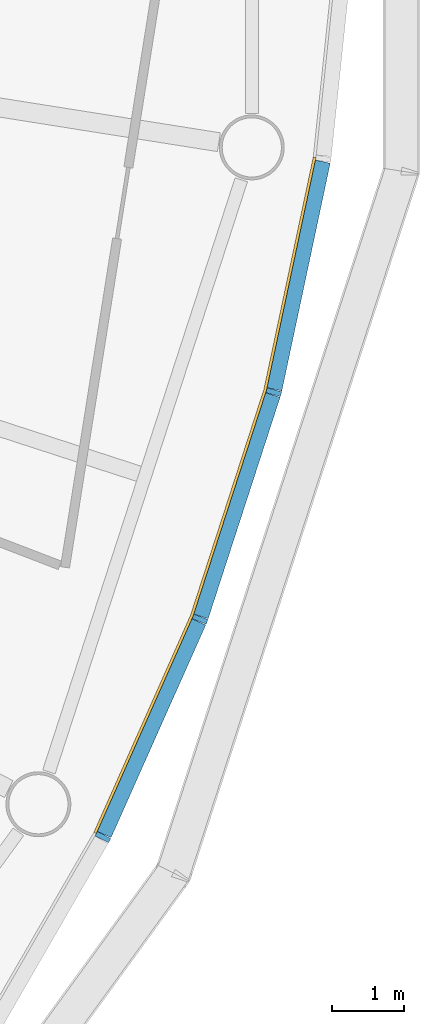
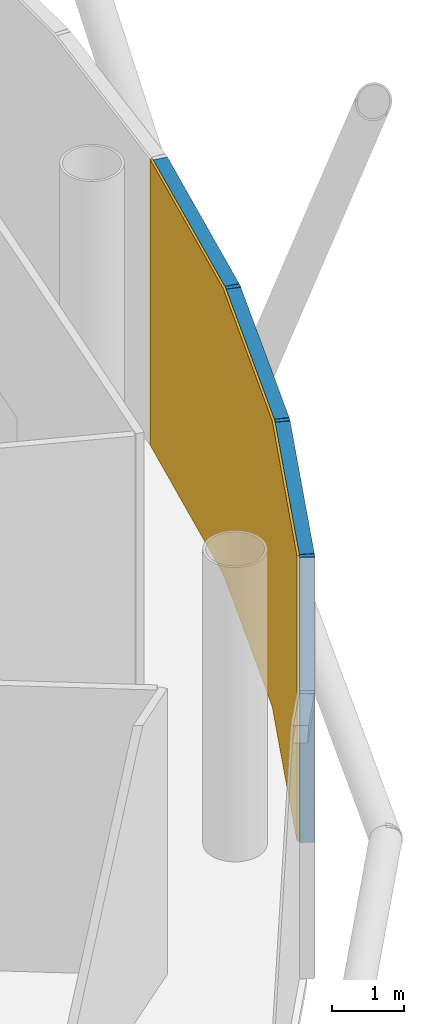
# One storey, part 9 of 13: 6 members, 1 curtain wall.
"""IFC4 building model written with IfcOpenShell, lengths in metres."""

from ifc_helpers import new_model, si_unit, direction, frame, origin, origin_2d, place, context, subcontext, project, spatial, polyline, rectangle, outline, extrude, material, layer, layer_set, material_profile, profile_set, type_object, element, aggregate, save


model = new_model("IFC4")

# Units and contexts
model_context = context("Model", 3, precision=1e-05, world=origin(), true_north=direction((0.0, 1.0)))
body_context = subcontext(model_context, "Body", "Model", "MODEL_VIEW")
ifc_project = project(units=[si_unit("LENGTHUNIT", "METRE"), si_unit("AREAUNIT", "SQUARE_METRE"), si_unit("VOLUMEUNIT", "CUBIC_METRE"), si_unit("PLANEANGLEUNIT", "RADIAN"), si_unit("MASSUNIT", "GRAM", prefix="KILO")], contexts=[model_context])

# Member
ifc_material_1 = material(Name="Anodised aluminium", Category="aluminium")
ifc_material_profile_1 = material_profile(ifc_material_1, rectangle(XDim=0.070068359375, YDim=0.2099609375, at=origin_2d()), Name="Mullion 70 x 210 mm anodised aluminium")
ifc_profile_set_1 = profile_set([ifc_material_profile_1], Name="Anodised aluminium")
member_type_1 = type_object("IfcMemberType", Name="Mullion 70 x 210 mm anodised aluminium", PredefinedType="MULLION", material=ifc_profile_set_1)
site_placement = place(None, origin())
building_placement = place(site_placement, origin())
storey_placement = place(building_placement, frame((0.0, 0.0, 402.0)))
member_1_placement = place(storey_placement, frame((118.16015625, 65.651611328125, 0.0), z_axis=(0.0, 0.0, 1.0), x_axis=(0.45399049974, 0.891006524188, 0.0)))
member_1 = element("IfcMember", 1, at=member_1_placement, type_object=member_type_1, Name="MULLION L92-54", PredefinedType="MULLION", context=body_context, shape_type="SweptSolid", body=[
    extrude(rectangle(XDim=0.070068359375, YDim=0.2099609375, at=origin_2d()), origin(), (0.0, 0.0, 1.0), 4.85009765625),
])

member_2_placement = place(storey_placement, frame((119.505859375, 68.673828125, 0.0), z_axis=(0.0, 0.0, 1.0), x_axis=(0.358367949545, 0.933580426497, 0.0)))
member_2 = element("IfcMember", 2, at=member_2_placement, type_object=member_type_1, Name="MULLION L92-55", PredefinedType="MULLION", context=body_context, shape_type="SweptSolid", body=[
    extrude(rectangle(XDim=0.070068359375, YDim=0.2099609375, at=origin_2d()), origin(), (0.0, 0.0, 1.0), 4.85009765625),
])

member_3_placement = place(storey_placement, frame((120.528076171875, 71.820068359375, 0.0), z_axis=(0.0, 0.0, 1.0), x_axis=(0.258819045103, 0.965925826289, 0.0)))
member_3 = element("IfcMember", 3, at=member_3_placement, type_object=member_type_1, Name="MULLION L92-56", PredefinedType="MULLION", context=body_context, shape_type="SweptSolid", body=[
    extrude(rectangle(XDim=0.070068359375, YDim=0.2099609375, at=origin_2d()), origin(), (0.0, 0.0, 1.0), 4.85009765625),
])

ifc_material_2 = material(Name="Anodised aluminium", Category="aluminium")
ifc_material_profile_2 = material_profile(ifc_material_2, rectangle(XDim=0.2099609375, YDim=0.199951171875, at=origin_2d()), Name="Transom 200 x 210 mm anodised aluminium")
ifc_profile_set_2 = profile_set([ifc_material_profile_2], Name="Anodised aluminium")
member_type_2 = type_object("IfcMemberType", Name="Transom 200 x 210 mm anodised aluminium", PredefinedType="USERDEFINED", material=ifc_profile_set_2)
member_4_placement = place(storey_placement, frame((118.1767578125, 65.6884765625, 4.75), z_axis=(0.40676305784, 0.913533696574, 0.0), x_axis=(-0.913533696574, 0.40676305784, 0.0)))
member_4 = element("IfcMember", 4, at=member_4_placement, type_object=member_type_2, Name="TRANSOM L92-54", ObjectType="TRANSOM", PredefinedType="USERDEFINED", context=body_context, shape_type="SweptSolid", body=[
    extrude(rectangle(XDim=0.2099609375, YDim=0.199951171875, at=origin_2d()), origin(), (0.0, 0.0, 1.0), 3.227294921875),
])

member_5_placement = place(storey_placement, frame((119.5185546875, 68.712158203125, 4.75), z_axis=(0.308956065441, 0.951076311148, 0.0), x_axis=(-0.951076311148, 0.308956065441, 0.0)))
member_5 = element("IfcMember", 5, at=member_5_placement, type_object=member_type_2, Name="TRANSOM L92-55", ObjectType="TRANSOM", PredefinedType="USERDEFINED", context=body_context, shape_type="SweptSolid", body=[
    extrude(rectangle(XDim=0.2099609375, YDim=0.199951171875, at=origin_2d()), origin(), (0.0, 0.0, 1.0), 3.227294921875),
])

member_6_placement = place(storey_placement, frame((120.53662109375, 71.859619140625, 4.75), z_axis=(0.207885898771, 0.978153082647, 0.0), x_axis=(-0.978153082647, 0.207885898771, 0.0)))
member_6 = element("IfcMember", 6, at=member_6_placement, type_object=member_type_2, Name="TRANSOM L92-56", ObjectType="TRANSOM", PredefinedType="USERDEFINED", context=body_context, shape_type="SweptSolid", body=[
    extrude(rectangle(XDim=0.2099609375, YDim=0.199951171875, at=origin_2d()), origin(), (0.0, 0.0, 1.0), 3.227294921875),
])

# Site, building, storey
site = spatial("IfcSite", under=ifc_project, at=site_placement, CompositionType="ELEMENT")
building = spatial("IfcBuilding", under=site, at=building_placement, Name="Entoto Ring Tower", CompositionType="ELEMENT")
storey = spatial("IfcBuildingStorey", under=building, at=storey_placement, Name="L92", CompositionType="ELEMENT", Elevation=402.0)

# Curtain wall
ifc_material_3 = material(Name="Clear low-iron glass", Category="glass")
ifc_layer = layer(ifc_material_3, 0.0380859375)
ifc_layer_set = layer_set([ifc_layer], Name="Clear low-iron glass")
curtain_wall_type = type_object("IfcCurtainWallType", Name="Curtain wall system CW10 glazing 38 mm", PredefinedType="NOTDEFINED", material=ifc_layer_set)
curtain_wall_placement = place(storey_placement, origin())
curtain_wall = element("IfcCurtainWall", 7, at=curtain_wall_placement, inside=storey, type_object=curtain_wall_type, Name="CW10 L92-19", PredefinedType="NOTDEFINED", context=body_context, shape_type="SweptSolid", body=[
    extrude(outline(polyline([(118.066650390625, 65.69921875), (119.40771484375, 68.71142578125), (120.4267578125, 71.84716796875), (121.1123046875, 75.072265625), (121.07470703125, 75.078369140625), (120.389892578125, 71.85693359375), (119.372314453125, 68.72509765625), (118.03271484375, 65.716552734375), (118.066650390625, 65.69921875)])), origin(), (0.0, 0.0, 1.0), 4.85009765625),
])

aggregate(curtain_wall, [member_1, member_2, member_3, member_4, member_5, member_6])

save(model, "model.ifc")
